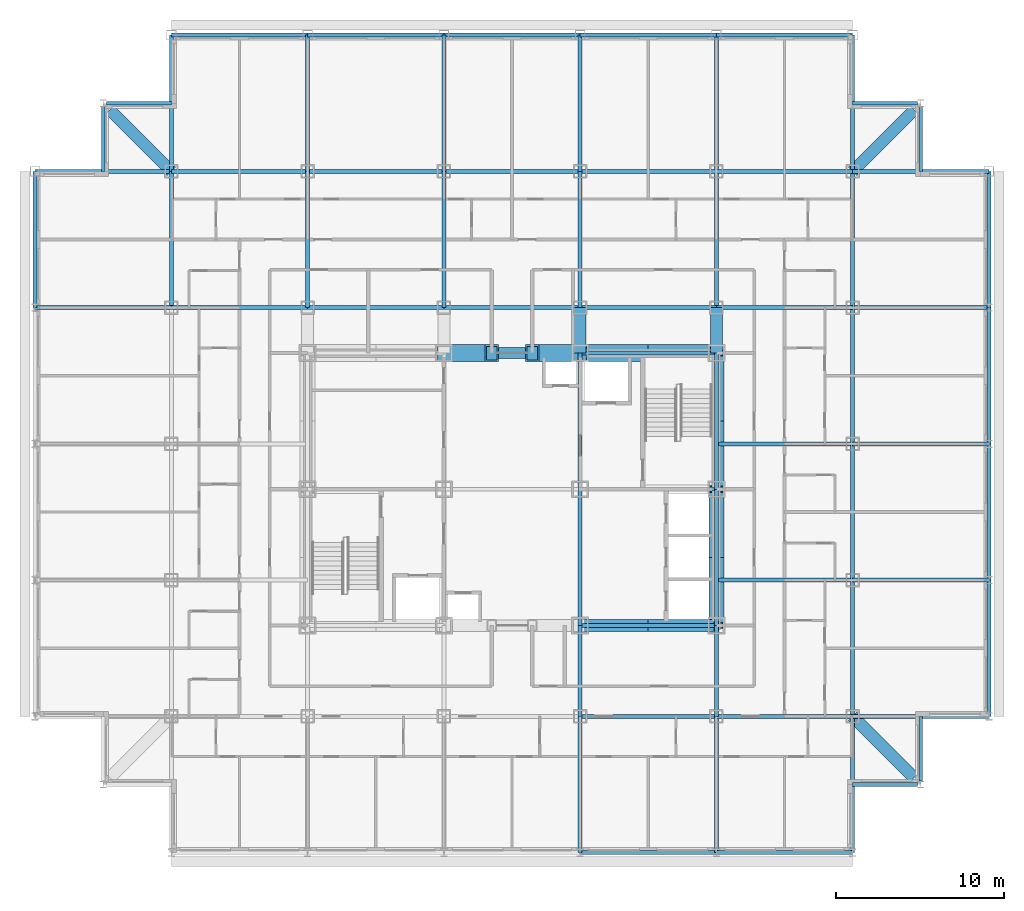
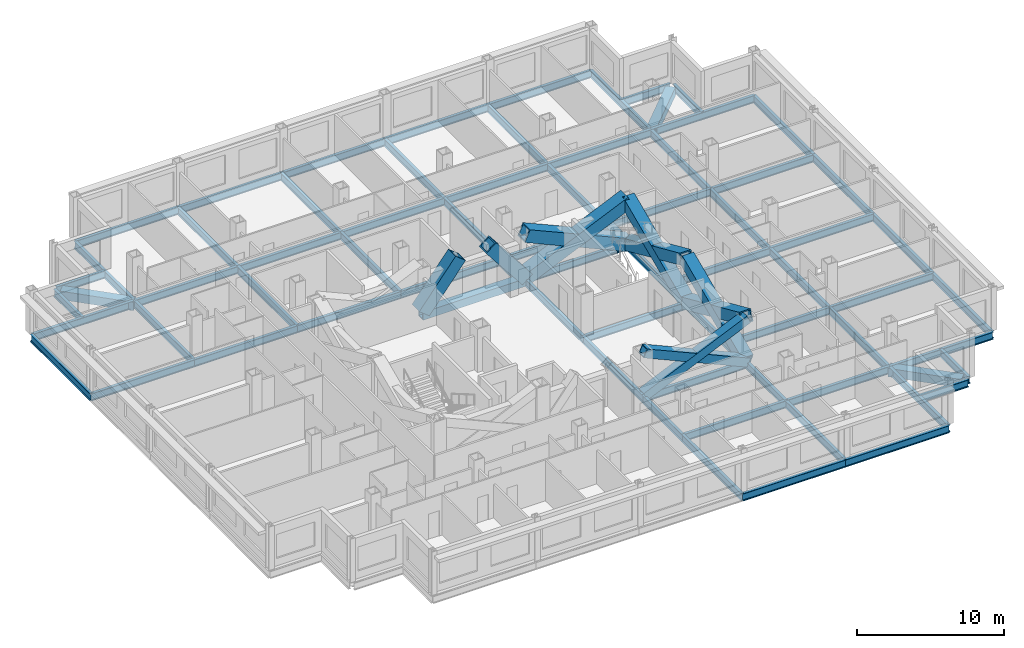
# One storey, part 2 of 12: 72 beams, 10 members.
"""IFC4 building model written with IfcOpenShell, lengths in metres."""

from ifc_helpers import new_model, si_unit, direction, frame, origin, origin_2d, place, context, subcontext, project, spatial, hollow_rectangle, i_section, extrude, material, material_profile, profile_set, type_object, element, save


model = new_model("IFC4")

# Units and contexts
model_context = context("Model", 3, precision=1e-05, world=origin(), true_north=direction((0.0, 1.0)))
body_context = subcontext(model_context, "Body", "Model", "MODEL_VIEW")
ifc_project = project(units=[si_unit("LENGTHUNIT", "METRE"), si_unit("AREAUNIT", "SQUARE_METRE"), si_unit("VOLUMEUNIT", "CUBIC_METRE"), si_unit("PLANEANGLEUNIT", "RADIAN"), si_unit("MASSUNIT", "GRAM", prefix="KILO")], contexts=[model_context])

# Site, building, storey
site_placement = place(None, origin())
site = spatial("IfcSite", under=ifc_project, at=site_placement, CompositionType="ELEMENT")
building_placement = place(site_placement, origin())
building = spatial("IfcBuilding", under=site, at=building_placement, Name="Kopane Lantern Tower", CompositionType="ELEMENT")
storey_placement = place(building_placement, frame((0.0, 0.0, 181.199951171875)))
storey = spatial("IfcBuildingStorey", under=building, at=storey_placement, Name="L46", CompositionType="ELEMENT", Elevation=181.199951171875)

# Members
ifc_material_1 = material(Name="Steel S355JR", Category="steel")
ifc_material_profile_1 = material_profile(ifc_material_1, hollow_rectangle(XDim=1.0, YDim=1.0, WallThickness=0.10009765625, at=origin_2d()), Name="BOX 1000x1000x100")
ifc_profile_set_1 = profile_set([ifc_material_profile_1], Name="Steel S355JR")
member_type_1 = type_object("IfcMemberType", Name="BRACE BOX 1000x1000x100", PredefinedType="BRACE", material=ifc_profile_set_1)
for number, where, z_axis, x_axis, name in (
    (1, (24.300048828125, 40.5, -0.2099609375), (0.620672981644, 0.0, 0.784069544018), (0.0, 1.0, 0.0), "Core brace L46"),
    (2, (32.39990234375, 40.5, -0.2099609375), (-0.620672981644, 0.0, 0.784069544018), (0.0, -1.0, 0.0), "Core brace L46"),
):
    element("IfcMember", number, at=place(storey_placement, frame(where, z_axis=z_axis, x_axis=x_axis)), inside=storey, type_object=member_type_1, Name=name, PredefinedType="BRACE", context=body_context, shape_type="SweptSolid", body=[
        extrude(hollow_rectangle(XDim=1.0, YDim=1.0, WallThickness=0.10009765625, at=origin_2d()), origin(), (0.0, 0.0, 1.0), 4.591552734375),
    ])
for number, where, z_axis, x_axis, name in (
    (3, (32.39990234375, 40.5, -0.2099609375), (0.913809277049, 0.0, 0.40614357705), (0.0, 1.0, 0.0), "Core brace L46"),
    (4, (40.5, 40.5, -0.2099609375), (-0.913809277049, 0.0, 0.40614357705), (0.0, -1.0, 0.0), "Core brace L46"),
):
    element("IfcMember", number, at=place(storey_placement, frame(where, z_axis=z_axis, x_axis=x_axis)), inside=storey, type_object=member_type_1, Name=name, PredefinedType="BRACE", context=body_context, shape_type="SweptSolid", body=[
        extrude(hollow_rectangle(XDim=1.0, YDim=1.0, WallThickness=0.10009765625, at=origin_2d()), origin(), (0.0, 0.0, 1.0), 8.864013671875),
    ])
ifc_material_2 = material(Name="Steel S355JR", Category="steel")
ifc_material_profile_2 = material_profile(ifc_material_2, hollow_rectangle(XDim=0.699951171875, YDim=0.699951171875, WallThickness=0.06005859375, at=origin_2d()), Name="BOX 700x700x60")
ifc_profile_set_2 = profile_set([ifc_material_profile_2], Name="Steel S355JR")
member_type_2 = type_object("IfcMemberType", Name="BRACE BOX 700x700x60", PredefinedType="BRACE", material=ifc_profile_set_2)
for number, where, z_axis, x_axis, name in (
    (5, (32.39990234375, 24.300048828125, -0.2099609375), (0.913809277049, 0.0, 0.40614357705), (0.0, 1.0, 0.0), "Core brace L46"),
    (6, (40.5, 24.300048828125, -0.2099609375), (-0.913809277049, 0.0, 0.40614357705), (0.0, -1.0, 0.0), "Core brace L46"),
):
    element("IfcMember", number, at=place(storey_placement, frame(where, z_axis=z_axis, x_axis=x_axis)), inside=storey, type_object=member_type_2, Name=name, PredefinedType="BRACE", context=body_context, shape_type="SweptSolid", body=[
        extrude(hollow_rectangle(XDim=0.699951171875, YDim=0.699951171875, WallThickness=0.06005859375, at=origin_2d()), origin(), (0.0, 0.0, 1.0), 8.864013671875),
    ])
ifc_material_3 = material(Name="Steel S355JR", Category="steel")
ifc_material_profile_3 = material_profile(ifc_material_3, hollow_rectangle(XDim=0.89990234375, YDim=0.89990234375, WallThickness=0.090087890625, at=origin_2d()), Name="BOX 900x900x90")
ifc_profile_set_3 = profile_set([ifc_material_profile_3], Name="Steel S355JR")
member_type_3 = type_object("IfcMemberType", Name="BRACE BOX 900x900x90", PredefinedType="BRACE", material=ifc_profile_set_3)
for number, where, z_axis, x_axis, name in (
    (7, (40.5, 24.300048828125, -0.2099609375), (0.0, 0.91380473365, 0.406153799391), (-1.0, 0.0, 0.0), "Core brace L46"),
    (8, (40.5, 32.39990234375, -0.2099609375), (0.0, -0.91380473365, 0.406153799391), (1.0, 0.0, 0.0), "Core brace L46"),
):
    element("IfcMember", number, at=place(storey_placement, frame(where, z_axis=z_axis, x_axis=x_axis)), inside=storey, type_object=member_type_3, Name=name, PredefinedType="BRACE", context=body_context, shape_type="SweptSolid", body=[
        extrude(hollow_rectangle(XDim=0.89990234375, YDim=0.89990234375, WallThickness=0.090087890625, at=origin_2d()), origin(), (0.0, 0.0, 1.0), 8.86376953125),
    ])
for number, where, z_axis, x_axis, name in (
    (9, (40.5, 32.39990234375, -0.2099609375), (0.0, 0.913809277049, 0.40614357705), (-1.0, 0.0, 0.0), "Core brace L46"),
    (10, (40.5, 40.5, -0.2099609375), (0.0, -0.913809277049, 0.40614357705), (1.0, 0.0, 0.0), "Core brace L46"),
):
    element("IfcMember", number, at=place(storey_placement, frame(where, z_axis=z_axis, x_axis=x_axis)), inside=storey, type_object=member_type_3, Name=name, PredefinedType="BRACE", context=body_context, shape_type="SweptSolid", body=[
        extrude(hollow_rectangle(XDim=0.89990234375, YDim=0.89990234375, WallThickness=0.090087890625, at=origin_2d()), origin(), (0.0, 0.0, 1.0), 8.864013671875),
    ])

# Beams
ifc_material_4 = material(Name="Steel S355JR", Category="steel")
ifc_material_profile_4 = material_profile(ifc_material_4, i_section(OverallWidth=0.22900390625, OverallDepth=0.6123046875, WebThickness=0.011962890625, FlangeThickness=0.01953125, FilletRadius=0.0126953125, at=origin_2d()), Name="UB 610x229x125")
ifc_profile_set_4 = profile_set([ifc_material_profile_4], Name="Steel S355JR")
beam_type_1 = type_object("IfcBeamType", Name="CORE BEAM UB 610x229x125", PredefinedType="BEAM", material=ifc_profile_set_4)
beam_1_placement = place(storey_placement, frame((32.39990234375, 24.300048828125, -0.51611328125), z_axis=(0.0, 1.0, 0.0), x_axis=(-1.0, 0.0, 0.0)))
element("IfcBeam", 11, at=beam_1_placement, inside=storey, type_object=beam_type_1, Name="Core Beam L46", PredefinedType="BEAM", context=body_context, shape_type="SweptSolid", body=[
    extrude(i_section(OverallWidth=0.22900390625, OverallDepth=0.6123046875, WebThickness=0.011962890625, FlangeThickness=0.01953125, FilletRadius=0.0126953125, at=origin_2d()), origin(), (0.0, 0.0, 1.0), 8.099853515625),
])
for number, where, z_axis, x_axis, name in (
    (12, (32.39990234375, 32.39990234375, -0.51611328125), (0.0, 1.0, 0.0), (-1.0, 0.0, 0.0), "Core Beam L46"),
    (13, (32.39990234375, 32.39990234375, -0.51611328125), (1.0, 0.0, 0.0), (0.0, 1.0, 0.0), "Core Beam L46"),
):
    element("IfcBeam", number, at=place(storey_placement, frame(where, z_axis=z_axis, x_axis=x_axis)), inside=storey, type_object=beam_type_1, Name=name, PredefinedType="BEAM", context=body_context, shape_type="SweptSolid", body=[
        extrude(i_section(OverallWidth=0.22900390625, OverallDepth=0.6123046875, WebThickness=0.011962890625, FlangeThickness=0.01953125, FilletRadius=0.0126953125, at=origin_2d()), origin(), (0.0, 0.0, 1.0), 8.10009765625),
    ])
ifc_material_5 = material(Name="Steel S355JR", Category="steel")
ifc_material_profile_5 = material_profile(ifc_material_5, hollow_rectangle(XDim=0.699951171875, YDim=0.699951171875, WallThickness=0.06005859375, at=origin_2d()), Name="BOX 700x700x60")
ifc_profile_set_5 = profile_set([ifc_material_profile_5], Name="Steel S355JR")
beam_type_2 = type_object("IfcBeamType", Name="CORNER TIE BEAM BOX 700x700x60", PredefinedType="BEAM", material=ifc_profile_set_5)
for number, where, z_axis, x_axis, name in (
    (14, (4.447509765625, 54.952392578125, -0.56005859375), (0.70713041325, -0.707083148333, 0.0), (0.707083148333, 0.70713041325, 0.0), "Corner Tie Beam L46"),
    (15, (52.25244140625, 15.24755859375, -0.56005859375), (-0.707106781187, 0.707106781187, 0.0), (-0.707106781187, -0.707106781187, 0.0), "Corner Tie Beam L46"),
    (16, (52.25244140625, 54.952392578125, -0.56005859375), (-0.707106781187, -0.707106781187, 0.0), (0.707106781187, -0.707106781187, 0.0), "Corner Tie Beam L46"),
):
    element("IfcBeam", number, at=place(storey_placement, frame(where, z_axis=z_axis, x_axis=x_axis)), inside=storey, type_object=beam_type_2, Name=name, PredefinedType="BEAM", context=body_context, shape_type="SweptSolid", body=[
        extrude(hollow_rectangle(XDim=0.699951171875, YDim=0.699951171875, WallThickness=0.06005859375, at=origin_2d()), origin(), (0.0, 0.0, 1.0), 5.165283203125),
    ])
ifc_material_6 = material(Name="Steel S355JR", Category="steel")
ifc_material_profile_6 = material_profile(ifc_material_6, i_section(OverallWidth=0.22900390625, OverallDepth=0.6123046875, WebThickness=0.011962890625, FlangeThickness=0.01953125, FilletRadius=0.0126953125, at=origin_2d()), Name="UB 610x229x125")
ifc_profile_set_6 = profile_set([ifc_material_profile_6], Name="Steel S355JR")
beam_type_3 = type_object("IfcBeamType", Name="EDGE BEAM UB 610x229x125", PredefinedType="BEAM", material=ifc_profile_set_6)
beam_2_placement = place(storey_placement, frame((4.050048828125, 55.146484375, -0.51611328125), z_axis=(0.0, -1.0, 0.0), x_axis=(1.0, 0.0, 0.0)))
element("IfcBeam", 17, at=beam_2_placement, inside=storey, type_object=beam_type_3, Name="Edge Beam L46", PredefinedType="BEAM", context=body_context, shape_type="SweptSolid", body=[
    extrude(i_section(OverallWidth=0.22900390625, OverallDepth=0.6123046875, WebThickness=0.011962890625, FlangeThickness=0.01953125, FilletRadius=0.0126953125, at=origin_2d()), origin(), (0.0, 0.0, 1.0), 3.846435546875),
])
beam_3_placement = place(storey_placement, frame((4.25341796875, 55.35009765625, -0.51611328125), z_axis=(1.0, 0.0, 0.0), x_axis=(0.0, 1.0, 0.0)))
element("IfcBeam", 18, at=beam_3_placement, inside=storey, type_object=beam_type_3, Name="Edge Beam L46", PredefinedType="BEAM", context=body_context, shape_type="SweptSolid", body=[
    extrude(i_section(OverallWidth=0.22900390625, OverallDepth=0.6123046875, WebThickness=0.011962890625, FlangeThickness=0.01953125, FilletRadius=0.0126953125, at=origin_2d()), origin(), (0.0, 0.0, 1.0), 3.8466796875),
])
for number, where, z_axis, x_axis, name in (
    (19, (52.446533203125, 14.85009765625, -0.51611328125), (-1.0, 0.0, 0.0), (0.0, -1.0, 0.0), "Edge Beam L46"),
    (20, (52.446533203125, 55.35009765625, -0.51611328125), (-1.0, 0.0, 0.0), (0.0, -1.0, 0.0), "Edge Beam L46"),
    (21, (52.64990234375, 15.053466796875, -0.51611328125), (0.0, 1.0, 0.0), (-1.0, 0.0, 0.0), "Edge Beam L46"),
    (22, (52.64990234375, 55.146484375, -0.51611328125), (0.0, -1.0, 0.0), (1.0, 0.0, 0.0), "Edge Beam L46"),
):
    element("IfcBeam", number, at=place(storey_placement, frame(where, z_axis=z_axis, x_axis=x_axis)), inside=storey, type_object=beam_type_3, Name=name, PredefinedType="BEAM", context=body_context, shape_type="SweptSolid", body=[
        extrude(i_section(OverallWidth=0.22900390625, OverallDepth=0.6123046875, WebThickness=0.011962890625, FlangeThickness=0.01953125, FilletRadius=0.0126953125, at=origin_2d()), origin(), (0.0, 0.0, 1.0), 3.846435546875),
    ])
ifc_material_7 = material(Name="Steel S355JR", Category="steel")
ifc_material_profile_7 = material_profile(ifc_material_7, hollow_rectangle(XDim=0.699951171875, YDim=0.699951171875, WallThickness=0.06005859375, at=origin_2d()), Name="BOX 700x700x60")
ifc_profile_set_7 = profile_set([ifc_material_profile_7], Name="Steel S355JR")
beam_type_4 = type_object("IfcBeamType", Name="GIRDER BOX 700x700x60", PredefinedType="BEAM", material=ifc_profile_set_7)
for number, where, z_axis, x_axis, name in (
    (23, (32.39990234375, 40.5, -0.56005859375), (0.0, 1.0, 0.0), (-1.0, 0.0, 0.0), "Girder L46"),
    (24, (40.5, 40.5, -0.56005859375), (0.0, 1.0, 0.0), (-1.0, 0.0, 0.0), "Girder L46"),
):
    element("IfcBeam", number, at=place(storey_placement, frame(where, z_axis=z_axis, x_axis=x_axis)), inside=storey, type_object=beam_type_4, Name=name, PredefinedType="BEAM", context=body_context, shape_type="SweptSolid", body=[
        extrude(hollow_rectangle(XDim=0.699951171875, YDim=0.699951171875, WallThickness=0.06005859375, at=origin_2d()), origin(), (0.0, 0.0, 1.0), 2.699951171875),
    ])
ifc_material_8 = material(Name="Steel S355JR", Category="steel")
ifc_material_profile_8 = material_profile(ifc_material_8, i_section(OverallWidth=0.22900390625, OverallDepth=0.6123046875, WebThickness=0.011962890625, FlangeThickness=0.01953125, FilletRadius=0.0126953125, at=origin_2d()), Name="UB 610x229x125")
ifc_profile_set_8 = profile_set([ifc_material_profile_8], Name="Steel S355JR")
beam_type_5 = type_object("IfcBeamType", Name="GIRDER UB 610x229x125", PredefinedType="BEAM", material=ifc_profile_set_8)
for number, where, z_axis, x_axis, name in (
    (25, (0.0, 43.199951171875, -0.51611328125), (0.0, 1.0, 0.0), (-1.0, 0.0, 0.0), "Girder L46"),
    (26, (0.0, 43.199951171875, -0.51611328125), (1.0, 0.0, 0.0), (0.0, 1.0, 0.0), "Girder L46"),
    (27, (0.0, 51.300048828125, -0.51611328125), (1.0, 0.0, 0.0), (0.0, 1.0, 0.0), "Girder L46"),
    (28, (8.10009765625, 43.199951171875, -0.51611328125), (0.0, 1.0, 0.0), (-1.0, 0.0, 0.0), "Girder L46"),
):
    element("IfcBeam", number, at=place(storey_placement, frame(where, z_axis=z_axis, x_axis=x_axis)), inside=storey, type_object=beam_type_5, Name=name, PredefinedType="BEAM", context=body_context, shape_type="SweptSolid", body=[
        extrude(i_section(OverallWidth=0.22900390625, OverallDepth=0.6123046875, WebThickness=0.011962890625, FlangeThickness=0.01953125, FilletRadius=0.0126953125, at=origin_2d()), origin(), (0.0, 0.0, 1.0), 8.10009765625),
    ])
for number, where, z_axis, x_axis, name in (
    (29, (8.10009765625, 43.199951171875, -0.51611328125), (1.0, 0.0, 0.0), (0.0, 1.0, 0.0), "Girder L46"),
    (30, (8.10009765625, 51.300048828125, -0.51611328125), (0.0, 1.0, 0.0), (-1.0, 0.0, 0.0), "Girder L46"),
    (31, (8.10009765625, 51.300048828125, -0.51611328125), (1.0, 0.0, 0.0), (0.0, 1.0, 0.0), "Girder L46"),
    (32, (8.10009765625, 59.39990234375, -0.51611328125), (1.0, 0.0, 0.0), (0.0, 1.0, 0.0), "Girder L46"),
):
    element("IfcBeam", number, at=place(storey_placement, frame(where, z_axis=z_axis, x_axis=x_axis)), inside=storey, type_object=beam_type_5, Name=name, PredefinedType="BEAM", context=body_context, shape_type="SweptSolid", body=[
        extrude(i_section(OverallWidth=0.22900390625, OverallDepth=0.6123046875, WebThickness=0.011962890625, FlangeThickness=0.01953125, FilletRadius=0.0126953125, at=origin_2d()), origin(), (0.0, 0.0, 1.0), 8.099853515625),
    ])
for number, where, z_axis, x_axis, name in (
    (33, (16.199951171875, 43.199951171875, -0.51611328125), (0.0, 1.0, 0.0), (-1.0, 0.0, 0.0), "Girder L46"),
    (34, (16.199951171875, 43.199951171875, -0.51611328125), (1.0, 0.0, 0.0), (0.0, 1.0, 0.0), "Girder L46"),
):
    element("IfcBeam", number, at=place(storey_placement, frame(where, z_axis=z_axis, x_axis=x_axis)), inside=storey, type_object=beam_type_5, Name=name, PredefinedType="BEAM", context=body_context, shape_type="SweptSolid", body=[
        extrude(i_section(OverallWidth=0.22900390625, OverallDepth=0.6123046875, WebThickness=0.011962890625, FlangeThickness=0.01953125, FilletRadius=0.0126953125, at=origin_2d()), origin(), (0.0, 0.0, 1.0), 8.10009765625),
    ])
beam_4_placement = place(storey_placement, frame((16.199951171875, 51.300048828125, -0.51611328125), z_axis=(0.0, 1.0, 0.0), x_axis=(-1.0, 0.0, 0.0)))
element("IfcBeam", 35, at=beam_4_placement, inside=storey, type_object=beam_type_5, Name="Girder L46", PredefinedType="BEAM", context=body_context, shape_type="SweptSolid", body=[
    extrude(i_section(OverallWidth=0.22900390625, OverallDepth=0.6123046875, WebThickness=0.011962890625, FlangeThickness=0.01953125, FilletRadius=0.0126953125, at=origin_2d()), origin(), (0.0, 0.0, 1.0), 8.099853515625),
])
for number, where, z_axis, x_axis, name in (
    (36, (16.199951171875, 51.300048828125, -0.51611328125), (1.0, 0.0, 0.0), (0.0, 1.0, 0.0), "Girder L46"),
    (37, (16.199951171875, 59.39990234375, -0.51611328125), (1.0, 0.0, 0.0), (0.0, 1.0, 0.0), "Girder L46"),
    (38, (24.300048828125, 43.199951171875, -0.51611328125), (0.0, 1.0, 0.0), (-1.0, 0.0, 0.0), "Girder L46"),
):
    element("IfcBeam", number, at=place(storey_placement, frame(where, z_axis=z_axis, x_axis=x_axis)), inside=storey, type_object=beam_type_5, Name=name, PredefinedType="BEAM", context=body_context, shape_type="SweptSolid", body=[
        extrude(i_section(OverallWidth=0.22900390625, OverallDepth=0.6123046875, WebThickness=0.011962890625, FlangeThickness=0.01953125, FilletRadius=0.0126953125, at=origin_2d()), origin(), (0.0, 0.0, 1.0), 8.10009765625),
    ])
for number, where, z_axis, x_axis, name in (
    (39, (24.300048828125, 43.199951171875, -0.51611328125), (1.0, 0.0, 0.0), (0.0, 1.0, 0.0), "Girder L46"),
    (40, (24.300048828125, 51.300048828125, -0.51611328125), (0.0, 1.0, 0.0), (-1.0, 0.0, 0.0), "Girder L46"),
    (41, (24.300048828125, 51.300048828125, -0.51611328125), (1.0, 0.0, 0.0), (0.0, 1.0, 0.0), "Girder L46"),
    (42, (24.300048828125, 59.39990234375, -0.51611328125), (1.0, 0.0, 0.0), (0.0, 1.0, 0.0), "Girder L46"),
    (43, (32.39990234375, 10.800048828125, -0.51611328125), (0.0, 1.0, 0.0), (-1.0, 0.0, 0.0), "Girder L46"),
):
    element("IfcBeam", number, at=place(storey_placement, frame(where, z_axis=z_axis, x_axis=x_axis)), inside=storey, type_object=beam_type_5, Name=name, PredefinedType="BEAM", context=body_context, shape_type="SweptSolid", body=[
        extrude(i_section(OverallWidth=0.22900390625, OverallDepth=0.6123046875, WebThickness=0.011962890625, FlangeThickness=0.01953125, FilletRadius=0.0126953125, at=origin_2d()), origin(), (0.0, 0.0, 1.0), 8.099853515625),
    ])
beam_5_placement = place(storey_placement, frame((32.39990234375, 10.800048828125, -0.51611328125), z_axis=(1.0, 0.0, 0.0), x_axis=(0.0, 1.0, 0.0)))
element("IfcBeam", 44, at=beam_5_placement, inside=storey, type_object=beam_type_5, Name="Girder L46", PredefinedType="BEAM", context=body_context, shape_type="SweptSolid", body=[
    extrude(i_section(OverallWidth=0.22900390625, OverallDepth=0.6123046875, WebThickness=0.011962890625, FlangeThickness=0.01953125, FilletRadius=0.0126953125, at=origin_2d()), origin(), (0.0, 0.0, 1.0), 8.10009765625),
])
beam_6_placement = place(storey_placement, frame((32.39990234375, 18.89990234375, -0.51611328125), z_axis=(0.0, 1.0, 0.0), x_axis=(-1.0, 0.0, 0.0)))
element("IfcBeam", 45, at=beam_6_placement, inside=storey, type_object=beam_type_5, Name="Girder L46", PredefinedType="BEAM", context=body_context, shape_type="SweptSolid", body=[
    extrude(i_section(OverallWidth=0.22900390625, OverallDepth=0.6123046875, WebThickness=0.011962890625, FlangeThickness=0.01953125, FilletRadius=0.0126953125, at=origin_2d()), origin(), (0.0, 0.0, 1.0), 5.400146484375),
])
for number, where, z_axis, x_axis, name in (
    (46, (32.39990234375, 18.89990234375, -0.51611328125), (1.0, 0.0, 0.0), (0.0, 1.0, 0.0), "Girder L46"),
    (47, (32.39990234375, 24.300048828125, -0.51611328125), (1.0, 0.0, 0.0), (0.0, 1.0, 0.0), "Girder L46"),
    (48, (32.39990234375, 40.5, -0.51611328125), (1.0, 0.0, 0.0), (0.0, 1.0, 0.0), "Girder L46"),
    (49, (32.39990234375, 43.199951171875, -0.51611328125), (0.0, 1.0, 0.0), (-1.0, 0.0, 0.0), "Girder L46"),
    (50, (32.39990234375, 43.199951171875, -0.51611328125), (1.0, 0.0, 0.0), (0.0, 1.0, 0.0), "Girder L46"),
):
    element("IfcBeam", number, at=place(storey_placement, frame(where, z_axis=z_axis, x_axis=x_axis)), inside=storey, type_object=beam_type_5, Name=name, PredefinedType="BEAM", context=body_context, shape_type="SweptSolid", body=[
        extrude(i_section(OverallWidth=0.22900390625, OverallDepth=0.6123046875, WebThickness=0.011962890625, FlangeThickness=0.01953125, FilletRadius=0.0126953125, at=origin_2d()), origin(), (0.0, 0.0, 1.0), 8.10009765625),
    ])
beam_7_placement = place(storey_placement, frame((32.39990234375, 51.300048828125, -0.51611328125), z_axis=(0.0, 1.0, 0.0), x_axis=(-1.0, 0.0, 0.0)))
element("IfcBeam", 51, at=beam_7_placement, inside=storey, type_object=beam_type_5, Name="Girder L46", PredefinedType="BEAM", context=body_context, shape_type="SweptSolid", body=[
    extrude(i_section(OverallWidth=0.22900390625, OverallDepth=0.6123046875, WebThickness=0.011962890625, FlangeThickness=0.01953125, FilletRadius=0.0126953125, at=origin_2d()), origin(), (0.0, 0.0, 1.0), 8.099853515625),
])
for number, where, z_axis, x_axis, name in (
    (52, (32.39990234375, 51.300048828125, -0.51611328125), (1.0, 0.0, 0.0), (0.0, 1.0, 0.0), "Girder L46"),
    (53, (32.39990234375, 59.39990234375, -0.51611328125), (1.0, 0.0, 0.0), (0.0, 1.0, 0.0), "Girder L46"),
):
    element("IfcBeam", number, at=place(storey_placement, frame(where, z_axis=z_axis, x_axis=x_axis)), inside=storey, type_object=beam_type_5, Name=name, PredefinedType="BEAM", context=body_context, shape_type="SweptSolid", body=[
        extrude(i_section(OverallWidth=0.22900390625, OverallDepth=0.6123046875, WebThickness=0.011962890625, FlangeThickness=0.01953125, FilletRadius=0.0126953125, at=origin_2d()), origin(), (0.0, 0.0, 1.0), 8.10009765625),
    ])
beam_8_placement = place(storey_placement, frame((40.5, 10.800048828125, -0.51611328125), z_axis=(0.0, 1.0, 0.0), x_axis=(-1.0, 0.0, 0.0)))
element("IfcBeam", 54, at=beam_8_placement, inside=storey, type_object=beam_type_5, Name="Girder L46", PredefinedType="BEAM", context=body_context, shape_type="SweptSolid", body=[
    extrude(i_section(OverallWidth=0.22900390625, OverallDepth=0.6123046875, WebThickness=0.011962890625, FlangeThickness=0.01953125, FilletRadius=0.0126953125, at=origin_2d()), origin(), (0.0, 0.0, 1.0), 8.099853515625),
])
beam_9_placement = place(storey_placement, frame((40.5, 10.800048828125, -0.51611328125), z_axis=(1.0, 0.0, 0.0), x_axis=(0.0, 1.0, 0.0)))
element("IfcBeam", 55, at=beam_9_placement, inside=storey, type_object=beam_type_5, Name="Girder L46", PredefinedType="BEAM", context=body_context, shape_type="SweptSolid", body=[
    extrude(i_section(OverallWidth=0.22900390625, OverallDepth=0.6123046875, WebThickness=0.011962890625, FlangeThickness=0.01953125, FilletRadius=0.0126953125, at=origin_2d()), origin(), (0.0, 0.0, 1.0), 8.10009765625),
])
beam_10_placement = place(storey_placement, frame((40.5, 18.89990234375, -0.51611328125), z_axis=(0.0, 1.0, 0.0), x_axis=(-1.0, 0.0, 0.0)))
element("IfcBeam", 56, at=beam_10_placement, inside=storey, type_object=beam_type_5, Name="Girder L46", PredefinedType="BEAM", context=body_context, shape_type="SweptSolid", body=[
    extrude(i_section(OverallWidth=0.22900390625, OverallDepth=0.6123046875, WebThickness=0.011962890625, FlangeThickness=0.01953125, FilletRadius=0.0126953125, at=origin_2d()), origin(), (0.0, 0.0, 1.0), 5.400146484375),
])
beam_11_placement = place(storey_placement, frame((40.5, 18.89990234375, -0.51611328125), z_axis=(1.0, 0.0, 0.0), x_axis=(0.0, 1.0, 0.0)))
element("IfcBeam", 57, at=beam_11_placement, inside=storey, type_object=beam_type_5, Name="Girder L46", PredefinedType="BEAM", context=body_context, shape_type="SweptSolid", body=[
    extrude(i_section(OverallWidth=0.22900390625, OverallDepth=0.6123046875, WebThickness=0.011962890625, FlangeThickness=0.01953125, FilletRadius=0.0126953125, at=origin_2d()), origin(), (0.0, 0.0, 1.0), 8.10009765625),
])
beam_12_placement = place(storey_placement, frame((40.5, 24.300048828125, -0.51611328125), z_axis=(0.0, 1.0, 0.0), x_axis=(-1.0, 0.0, 0.0)))
element("IfcBeam", 58, at=beam_12_placement, inside=storey, type_object=beam_type_5, Name="Girder L46", PredefinedType="BEAM", context=body_context, shape_type="SweptSolid", body=[
    extrude(i_section(OverallWidth=0.22900390625, OverallDepth=0.6123046875, WebThickness=0.011962890625, FlangeThickness=0.01953125, FilletRadius=0.0126953125, at=origin_2d()), origin(), (0.0, 0.0, 1.0), 8.099853515625),
])
for number, where, z_axis, x_axis, name in (
    (59, (40.5, 27.0, -0.51611328125), (1.0, 0.0, 0.0), (0.0, 1.0, 0.0), "Girder L46"),
    (60, (40.5, 32.39990234375, -0.51611328125), (0.0, 1.0, 0.0), (-1.0, 0.0, 0.0), "Girder L46"),
    (61, (40.5, 35.10009765625, -0.51611328125), (1.0, 0.0, 0.0), (0.0, 1.0, 0.0), "Girder L46"),
    (62, (40.5, 43.199951171875, -0.51611328125), (0.0, 1.0, 0.0), (-1.0, 0.0, 0.0), "Girder L46"),
    (63, (40.5, 43.199951171875, -0.51611328125), (1.0, 0.0, 0.0), (0.0, 1.0, 0.0), "Girder L46"),
):
    element("IfcBeam", number, at=place(storey_placement, frame(where, z_axis=z_axis, x_axis=x_axis)), inside=storey, type_object=beam_type_5, Name=name, PredefinedType="BEAM", context=body_context, shape_type="SweptSolid", body=[
        extrude(i_section(OverallWidth=0.22900390625, OverallDepth=0.6123046875, WebThickness=0.011962890625, FlangeThickness=0.01953125, FilletRadius=0.0126953125, at=origin_2d()), origin(), (0.0, 0.0, 1.0), 8.10009765625),
    ])
beam_13_placement = place(storey_placement, frame((40.5, 51.300048828125, -0.51611328125), z_axis=(0.0, 1.0, 0.0), x_axis=(-1.0, 0.0, 0.0)))
element("IfcBeam", 64, at=beam_13_placement, inside=storey, type_object=beam_type_5, Name="Girder L46", PredefinedType="BEAM", context=body_context, shape_type="SweptSolid", body=[
    extrude(i_section(OverallWidth=0.22900390625, OverallDepth=0.6123046875, WebThickness=0.011962890625, FlangeThickness=0.01953125, FilletRadius=0.0126953125, at=origin_2d()), origin(), (0.0, 0.0, 1.0), 8.099853515625),
])
for number, where, z_axis, x_axis, name in (
    (65, (40.5, 51.300048828125, -0.51611328125), (1.0, 0.0, 0.0), (0.0, 1.0, 0.0), "Girder L46"),
    (66, (40.5, 59.39990234375, -0.51611328125), (1.0, 0.0, 0.0), (0.0, 1.0, 0.0), "Girder L46"),
):
    element("IfcBeam", number, at=place(storey_placement, frame(where, z_axis=z_axis, x_axis=x_axis)), inside=storey, type_object=beam_type_5, Name=name, PredefinedType="BEAM", context=body_context, shape_type="SweptSolid", body=[
        extrude(i_section(OverallWidth=0.22900390625, OverallDepth=0.6123046875, WebThickness=0.011962890625, FlangeThickness=0.01953125, FilletRadius=0.0126953125, at=origin_2d()), origin(), (0.0, 0.0, 1.0), 8.10009765625),
    ])
beam_14_placement = place(storey_placement, frame((48.60009765625, 10.800048828125, -0.51611328125), z_axis=(0.0, 1.0, 0.0), x_axis=(-1.0, 0.0, 0.0)))
element("IfcBeam", 67, at=beam_14_placement, inside=storey, type_object=beam_type_5, Name="Girder L46", PredefinedType="BEAM", context=body_context, shape_type="SweptSolid", body=[
    extrude(i_section(OverallWidth=0.22900390625, OverallDepth=0.6123046875, WebThickness=0.011962890625, FlangeThickness=0.01953125, FilletRadius=0.0126953125, at=origin_2d()), origin(), (0.0, 0.0, 1.0), 8.099853515625),
])
beam_15_placement = place(storey_placement, frame((48.60009765625, 18.89990234375, -0.51611328125), z_axis=(0.0, 1.0, 0.0), x_axis=(-1.0, 0.0, 0.0)))
element("IfcBeam", 68, at=beam_15_placement, inside=storey, type_object=beam_type_5, Name="Girder L46", PredefinedType="BEAM", context=body_context, shape_type="SweptSolid", body=[
    extrude(i_section(OverallWidth=0.22900390625, OverallDepth=0.6123046875, WebThickness=0.011962890625, FlangeThickness=0.01953125, FilletRadius=0.0126953125, at=origin_2d()), origin(), (0.0, 0.0, 1.0), 8.10009765625),
])
beam_16_placement = place(storey_placement, frame((48.60009765625, 18.89990234375, -0.51611328125), z_axis=(1.0, 0.0, 0.0), x_axis=(0.0, 1.0, 0.0)))
element("IfcBeam", 69, at=beam_16_placement, inside=storey, type_object=beam_type_5, Name="Girder L46", PredefinedType="BEAM", context=body_context, shape_type="SweptSolid", body=[
    extrude(i_section(OverallWidth=0.22900390625, OverallDepth=0.6123046875, WebThickness=0.011962890625, FlangeThickness=0.01953125, FilletRadius=0.0126953125, at=origin_2d()), origin(), (0.0, 0.0, 1.0), 8.099853515625),
])
beam_17_placement = place(storey_placement, frame((48.60009765625, 27.0, -0.51611328125), z_axis=(0.0, 1.0, 0.0), x_axis=(-1.0, 0.0, 0.0)))
element("IfcBeam", 70, at=beam_17_placement, inside=storey, type_object=beam_type_5, Name="Girder L46", PredefinedType="BEAM", context=body_context, shape_type="SweptSolid", body=[
    extrude(i_section(OverallWidth=0.22900390625, OverallDepth=0.6123046875, WebThickness=0.011962890625, FlangeThickness=0.01953125, FilletRadius=0.0126953125, at=origin_2d()), origin(), (0.0, 0.0, 1.0), 8.10009765625),
])
for number, where, z_axis, x_axis, name in (
    (71, (48.60009765625, 27.0, -0.51611328125), (1.0, 0.0, 0.0), (0.0, 1.0, 0.0), "Girder L46"),
    (72, (48.60009765625, 35.10009765625, -0.51611328125), (0.0, 1.0, 0.0), (-1.0, 0.0, 0.0), "Girder L46"),
    (73, (48.60009765625, 35.10009765625, -0.51611328125), (1.0, 0.0, 0.0), (0.0, 1.0, 0.0), "Girder L46"),
):
    element("IfcBeam", number, at=place(storey_placement, frame(where, z_axis=z_axis, x_axis=x_axis)), inside=storey, type_object=beam_type_5, Name=name, PredefinedType="BEAM", context=body_context, shape_type="SweptSolid", body=[
        extrude(i_section(OverallWidth=0.22900390625, OverallDepth=0.6123046875, WebThickness=0.011962890625, FlangeThickness=0.01953125, FilletRadius=0.0126953125, at=origin_2d()), origin(), (0.0, 0.0, 1.0), 8.099853515625),
    ])
beam_18_placement = place(storey_placement, frame((48.60009765625, 43.199951171875, -0.51611328125), z_axis=(0.0, 1.0, 0.0), x_axis=(-1.0, 0.0, 0.0)))
element("IfcBeam", 74, at=beam_18_placement, inside=storey, type_object=beam_type_5, Name="Girder L46", PredefinedType="BEAM", context=body_context, shape_type="SweptSolid", body=[
    extrude(i_section(OverallWidth=0.22900390625, OverallDepth=0.6123046875, WebThickness=0.011962890625, FlangeThickness=0.01953125, FilletRadius=0.0126953125, at=origin_2d()), origin(), (0.0, 0.0, 1.0), 8.10009765625),
])
for number, where, z_axis, x_axis, name in (
    (75, (48.60009765625, 43.199951171875, -0.51611328125), (1.0, 0.0, 0.0), (0.0, 1.0, 0.0), "Girder L46"),
    (76, (48.60009765625, 51.300048828125, -0.51611328125), (0.0, 1.0, 0.0), (-1.0, 0.0, 0.0), "Girder L46"),
    (77, (48.60009765625, 51.300048828125, -0.51611328125), (1.0, 0.0, 0.0), (0.0, 1.0, 0.0), "Girder L46"),
):
    element("IfcBeam", number, at=place(storey_placement, frame(where, z_axis=z_axis, x_axis=x_axis)), inside=storey, type_object=beam_type_5, Name=name, PredefinedType="BEAM", context=body_context, shape_type="SweptSolid", body=[
        extrude(i_section(OverallWidth=0.22900390625, OverallDepth=0.6123046875, WebThickness=0.011962890625, FlangeThickness=0.01953125, FilletRadius=0.0126953125, at=origin_2d()), origin(), (0.0, 0.0, 1.0), 8.099853515625),
    ])
for number, where, z_axis, x_axis, name in (
    (78, (56.699951171875, 18.89990234375, -0.51611328125), (0.0, 1.0, 0.0), (-1.0, 0.0, 0.0), "Girder L46"),
    (79, (56.699951171875, 27.0, -0.51611328125), (0.0, 1.0, 0.0), (-1.0, 0.0, 0.0), "Girder L46"),
):
    element("IfcBeam", number, at=place(storey_placement, frame(where, z_axis=z_axis, x_axis=x_axis)), inside=storey, type_object=beam_type_5, Name=name, PredefinedType="BEAM", context=body_context, shape_type="SweptSolid", body=[
        extrude(i_section(OverallWidth=0.22900390625, OverallDepth=0.6123046875, WebThickness=0.011962890625, FlangeThickness=0.01953125, FilletRadius=0.0126953125, at=origin_2d()), origin(), (0.0, 0.0, 1.0), 8.10009765625),
    ])
beam_19_placement = place(storey_placement, frame((56.699951171875, 35.10009765625, -0.51611328125), z_axis=(0.0, 1.0, 0.0), x_axis=(-1.0, 0.0, 0.0)))
element("IfcBeam", 80, at=beam_19_placement, inside=storey, type_object=beam_type_5, Name="Girder L46", PredefinedType="BEAM", context=body_context, shape_type="SweptSolid", body=[
    extrude(i_section(OverallWidth=0.22900390625, OverallDepth=0.6123046875, WebThickness=0.011962890625, FlangeThickness=0.01953125, FilletRadius=0.0126953125, at=origin_2d()), origin(), (0.0, 0.0, 1.0), 8.099853515625),
])
beam_20_placement = place(storey_placement, frame((56.699951171875, 43.199951171875, -0.51611328125), z_axis=(0.0, 1.0, 0.0), x_axis=(-1.0, 0.0, 0.0)))
element("IfcBeam", 81, at=beam_20_placement, inside=storey, type_object=beam_type_5, Name="Girder L46", PredefinedType="BEAM", context=body_context, shape_type="SweptSolid", body=[
    extrude(i_section(OverallWidth=0.22900390625, OverallDepth=0.6123046875, WebThickness=0.011962890625, FlangeThickness=0.01953125, FilletRadius=0.0126953125, at=origin_2d()), origin(), (0.0, 0.0, 1.0), 8.10009765625),
])
ifc_material_9 = material(Name="Steel S355JR", Category="steel")
ifc_material_profile_9 = material_profile(ifc_material_9, hollow_rectangle(XDim=0.64990234375, YDim=0.64990234375, WallThickness=0.070068359375, at=origin_2d()), Name="BOX 650x650x70")
ifc_profile_set_9 = profile_set([ifc_material_profile_9], Name="Steel S355JR")
beam_type_6 = type_object("IfcBeamType", Name="LINK BEAM BOX 650x650x70", PredefinedType="BEAM", material=ifc_profile_set_9)
beam_21_placement = place(storey_placement, frame((24.300048828125, 40.5, -0.534912109375), z_axis=(1.0, 0.0, 0.0), x_axis=(0.0, 1.0, 0.0)))
element("IfcBeam", 82, at=beam_21_placement, inside=storey, type_object=beam_type_6, Name="Link Beam L46", PredefinedType="BEAM", context=body_context, shape_type="SweptSolid", body=[
    extrude(hollow_rectangle(XDim=0.64990234375, YDim=0.64990234375, WallThickness=0.070068359375, at=origin_2d()), origin(), (0.0, 0.0, 1.0), 8.099853515625),
])

save(model, "model.ifc")
